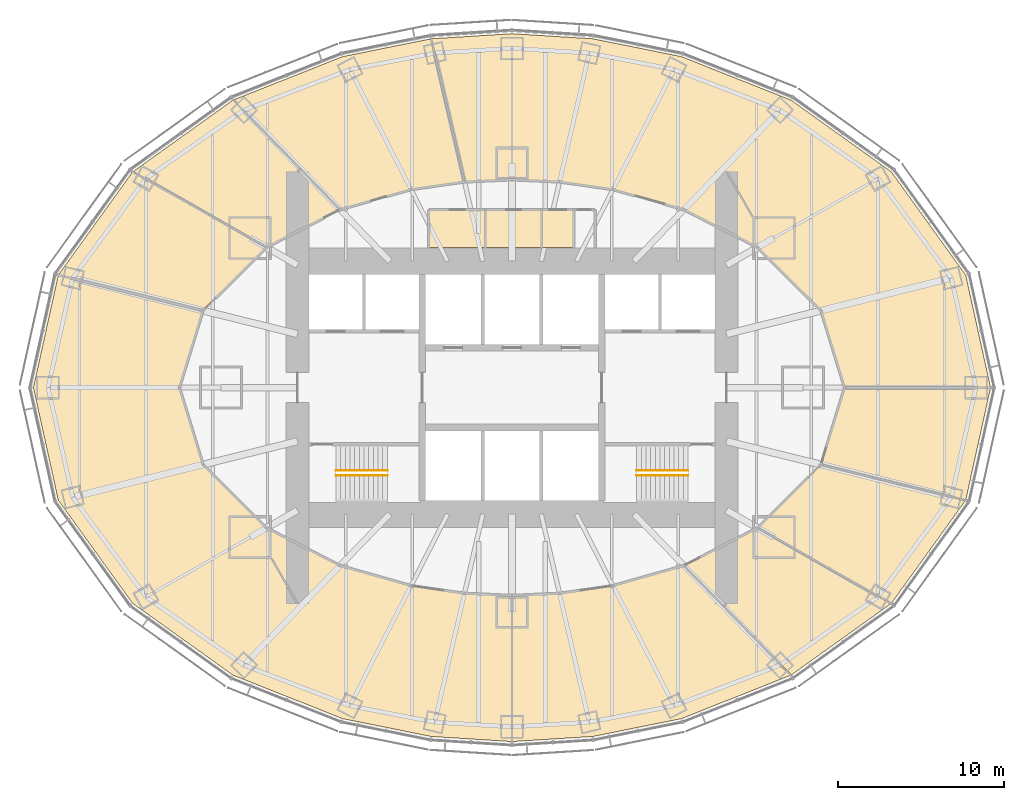
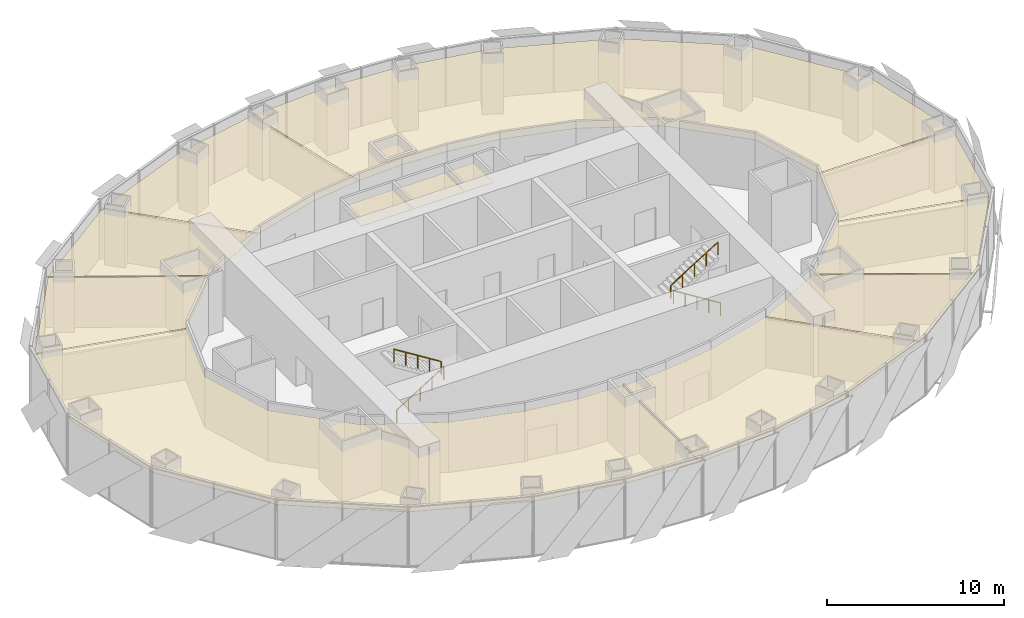
# One storey, part 18 of 18: 12 coverings, 4 railings.
"""IFC4 building model written with IfcOpenShell, lengths in metres."""

from ifc_helpers import new_model, si_unit, direction, frame, origin, origin_2d, place, context, subcontext, project, spatial, polyline, circle, outline, extrude, material, layer, layer_set, type_object, element, save


model = new_model("IFC4")

# Units and contexts
model_context = context("Model", 3, precision=1e-05, world=origin(), true_north=direction((0.0, 1.0)))
body_context = subcontext(model_context, "Body", "Model", "MODEL_VIEW")
ifc_project = project(units=[si_unit("LENGTHUNIT", "METRE"), si_unit("AREAUNIT", "SQUARE_METRE"), si_unit("VOLUMEUNIT", "CUBIC_METRE"), si_unit("PLANEANGLEUNIT", "RADIAN"), si_unit("MASSUNIT", "GRAM", prefix="KILO")], contexts=[model_context])

# Site, building, storey
site_placement = place(None, origin())
site = spatial("IfcSite", under=ifc_project, at=site_placement, CompositionType="ELEMENT")
building_placement = place(site_placement, origin())
building = spatial("IfcBuilding", under=site, at=building_placement, Name="Lantaw Convention Tower", CompositionType="ELEMENT")
storey_placement = place(building_placement, frame((0.0, 0.0, 134.199951171875)))
storey = spatial("IfcBuildingStorey", under=building, at=storey_placement, Name="L31", CompositionType="ELEMENT", Elevation=134.199951171875)

# Railings
ifc_material_1 = material(Name="Stainless steel", Category="steel")
railing_type = type_object("IfcRailingType", Name="Stair handrail", PredefinedType="HANDRAIL", material=ifc_material_1)
railing_1_placement = place(storey_placement, frame((-10.580078125, -5.280029296875, 0.175048828125)))
element("IfcRailing", 1, at=railing_1_placement, inside=storey, type_object=railing_type, Name="Stair handrail S1", PredefinedType="HANDRAIL", context=body_context, shape_type="SweptSolid", body=[
    extrude(circle(Radius=0.02392578125, at=origin_2d()), frame((0.0, 0.0, 0.8759765625), z_axis=(0.847998304005, 0.0, 0.529998940003), x_axis=(0.0, 1.0, 0.0)), (0.0, 0.0, 1.0), 3.632080078125),
    extrude(circle(Radius=0.02099609375, at=origin_2d()), origin(), (0.0, 0.0, 1.0), 0.851806640625),
    extrude(circle(Radius=0.02099609375, at=origin_2d()), frame((0.77001953125, 0.0, 0.481201171875)), (0.0, 0.0, 1.0), 0.851806640625),
    extrude(circle(Radius=0.02099609375, at=origin_2d()), frame((1.5400390625, 0.0, 0.96240234375)), (0.0, 0.0, 1.0), 0.851806640625),
    extrude(circle(Radius=0.02099609375, at=origin_2d()), frame((2.31005859375, 0.0, 1.44384765625)), (0.0, 0.0, 1.0), 0.851806640625),
    extrude(circle(Radius=0.02099609375, at=origin_2d()), frame((3.080078125, 0.0, 1.925048828125)), (0.0, 0.0, 1.0), 0.851806640625),
])
railing_2_placement = place(storey_placement, frame((-7.5, -4.97998046875, 2.275146484375)))
element("IfcRailing", 2, at=railing_2_placement, inside=storey, type_object=railing_type, Name="Stair handrail S1", PredefinedType="HANDRAIL", context=body_context, shape_type="SweptSolid", body=[
    extrude(circle(Radius=0.02392578125, at=origin_2d()), frame((0.0, 0.0, 0.8759765625), z_axis=(-0.848028513186, 0.0, 0.529950602248), x_axis=(0.0, -1.0, 0.0)), (0.0, 0.0, 1.0), 3.632080078125),
    extrude(circle(Radius=0.02099609375, at=origin_2d()), origin(), (0.0, 0.0, 1.0), 0.851806640625),
    extrude(circle(Radius=0.02099609375, at=origin_2d()), frame((-0.77001953125, 0.0, 0.481201171875)), (0.0, 0.0, 1.0), 0.851806640625),
    extrude(circle(Radius=0.02099609375, at=origin_2d()), frame((-1.5400390625, 0.0, 0.96240234375)), (0.0, 0.0, 1.0), 0.851806640625),
    extrude(circle(Radius=0.02099609375, at=origin_2d()), frame((-2.31005859375, 0.0, 1.443603515625)), (0.0, 0.0, 1.0), 0.851806640625),
    extrude(circle(Radius=0.02099609375, at=origin_2d()), frame((-3.080078125, 0.0, 1.9248046875)), (0.0, 0.0, 1.0), 0.851806640625),
])
railing_3_placement = place(storey_placement, frame((10.580078125, -5.280029296875, 0.175048828125)))
element("IfcRailing", 3, at=railing_3_placement, inside=storey, type_object=railing_type, Name="Stair handrail S2", PredefinedType="HANDRAIL", context=body_context, shape_type="SweptSolid", body=[
    extrude(circle(Radius=0.02392578125, at=origin_2d()), frame((0.0, 0.0, 0.8759765625), z_axis=(-0.847998304005, 0.0, 0.529998940003), x_axis=(0.0, -1.0, 0.0)), (0.0, 0.0, 1.0), 3.632080078125),
    extrude(circle(Radius=0.02099609375, at=origin_2d()), origin(), (0.0, 0.0, 1.0), 0.851806640625),
    extrude(circle(Radius=0.02099609375, at=origin_2d()), frame((-0.77001953125, 0.0, 0.481201171875)), (0.0, 0.0, 1.0), 0.851806640625),
    extrude(circle(Radius=0.02099609375, at=origin_2d()), frame((-1.5400390625, 0.0, 0.96240234375)), (0.0, 0.0, 1.0), 0.851806640625),
    extrude(circle(Radius=0.02099609375, at=origin_2d()), frame((-2.31005859375, 0.0, 1.44384765625)), (0.0, 0.0, 1.0), 0.851806640625),
    extrude(circle(Radius=0.02099609375, at=origin_2d()), frame((-3.080078125, 0.0, 1.925048828125)), (0.0, 0.0, 1.0), 0.851806640625),
])
railing_4_placement = place(storey_placement, frame((7.5, -4.97998046875, 2.275146484375)))
element("IfcRailing", 4, at=railing_4_placement, inside=storey, type_object=railing_type, Name="Stair handrail S2", PredefinedType="HANDRAIL", context=body_context, shape_type="SweptSolid", body=[
    extrude(circle(Radius=0.02392578125, at=origin_2d()), frame((0.0, 0.0, 0.8759765625), z_axis=(0.848028513186, 0.0, 0.529950602248), x_axis=(0.0, 1.0, 0.0)), (0.0, 0.0, 1.0), 3.632080078125),
    extrude(circle(Radius=0.02099609375, at=origin_2d()), origin(), (0.0, 0.0, 1.0), 0.851806640625),
    extrude(circle(Radius=0.02099609375, at=origin_2d()), frame((0.77001953125, 0.0, 0.481201171875)), (0.0, 0.0, 1.0), 0.851806640625),
    extrude(circle(Radius=0.02099609375, at=origin_2d()), frame((1.5400390625, 0.0, 0.96240234375)), (0.0, 0.0, 1.0), 0.851806640625),
    extrude(circle(Radius=0.02099609375, at=origin_2d()), frame((2.31005859375, 0.0, 1.443603515625)), (0.0, 0.0, 1.0), 0.851806640625),
    extrude(circle(Radius=0.02099609375, at=origin_2d()), frame((3.080078125, 0.0, 1.9248046875)), (0.0, 0.0, 1.0), 0.851806640625),
])

# Coverings
ifc_material_2 = material(Name="Gypsum board on steel suspension grid", Category="steel")
ifc_layer = layer(ifc_material_2, 0.02001953125)
ifc_layer_set = layer_set([ifc_layer], Name="Suspended ceiling")
covering_type = type_object("IfcCoveringType", Name="Suspended ceiling", PredefinedType="CEILING", material=ifc_layer_set)
covering_1_placement = place(storey_placement, frame((0.0, 0.0, 3.449951171875)))
element("IfcCovering", 5, at=covering_1_placement, inside=storey, type_object=covering_type, Name="Female WC ceiling", PredefinedType="CEILING", context=body_context, shape_type="SweptSolid", body=[
    extrude(outline(polyline([(-4.9599609375, 8.43994140625), (-1.639892578125, 8.43994140625), (-1.639892578125, 10.659912109375), (-4.9599609375, 10.659912109375), (-4.9599609375, 8.43994140625)])), origin(), (0.0, 0.0, 1.0), 0.02001953125),
])
covering_2_placement = place(storey_placement, frame((0.0, 0.0, 3.449951171875)))
element("IfcCovering", 6, at=covering_2_placement, inside=storey, type_object=covering_type, Name="Male WC ceiling", PredefinedType="CEILING", context=body_context, shape_type="SweptSolid", body=[
    extrude(outline(polyline([(-1.56005859375, 8.43994140625), (1.760009765625, 8.43994140625), (1.760009765625, 10.659912109375), (-1.56005859375, 10.659912109375), (-1.56005859375, 8.43994140625)])), origin(), (0.0, 0.0, 1.0), 0.02001953125),
])
covering_3_placement = place(storey_placement, frame((0.0, 0.0, 3.449951171875)))
element("IfcCovering", 7, at=covering_3_placement, inside=storey, type_object=covering_type, Name="Accessible WC ceiling", PredefinedType="CEILING", context=body_context, shape_type="SweptSolid", body=[
    extrude(outline(polyline([(1.840087890625, 8.43994140625), (3.659912109375, 8.43994140625), (3.659912109375, 10.659912109375), (1.840087890625, 10.659912109375), (1.840087890625, 8.43994140625)])), origin(), (0.0, 0.0, 1.0), 0.02001953125),
])
covering_4_placement = place(storey_placement, frame((0.0, 0.0, 3.449951171875)))
element("IfcCovering", 8, at=covering_4_placement, inside=storey, type_object=covering_type, Name="Contact-centre floor ceiling", PredefinedType="CEILING", context=body_context, shape_type="SweptSolid", body=[
    extrude(outline(polyline([(20.029541015625, 0.0400390625), (28.77099609375, 0.0400390625), (27.286865234375, 6.763671875), (22.815185546875, 12.970947265625), (16.778076171875, 17.29150390625), (10.1865234375, 19.90576171875), (4.864501953125, 20.978271484375), (0.0, 21.28466796875), (-4.820068359375, 20.98095703125), (-2.824951171875, 12.413330078125), (0.0, 12.5400390625), (2.860107421875, 12.41162109375), (6.0771484375, 11.949951171875), (10.349365234375, 10.7392578125), (14.784423828125, 8.46728515625), (18.61181640625, 4.65283203125), (20.029541015625, 0.0400390625)])), origin(), (0.0, 0.0, 1.0), 0.02001953125),
])
covering_5_placement = place(storey_placement, frame((0.0, 0.0, 3.449951171875)))
element("IfcCovering", 9, at=covering_5_placement, inside=storey, type_object=covering_type, Name="Training room ceiling", PredefinedType="CEILING", context=body_context, shape_type="SweptSolid", body=[
    extrude(outline(polyline([(-2.905029296875, 12.4052734375), (-4.89990234375, 20.970947265625), (-10.1865234375, 19.90576171875), (-16.726806640625, 17.311767578125), (-10.32275390625, 10.746826171875), (-6.0771484375, 11.949951171875), (-2.905029296875, 12.4052734375)])), origin(), (0.0, 0.0, 1.0), 0.02001953125),
])
covering_6_placement = place(storey_placement, frame((0.0, 0.0, 3.449951171875)))
element("IfcCovering", 10, at=covering_6_placement, inside=storey, type_object=covering_type, Name="Quiet room ceiling", PredefinedType="CEILING", context=body_context, shape_type="SweptSolid", body=[
    extrude(outline(polyline([(-10.401123046875, 10.712646484375), (-16.802001953125, 17.274169921875), (-22.76953125, 13.003662109375), (-14.759765625, 8.47998046875), (-10.401123046875, 10.712646484375)])), origin(), (0.0, 0.0, 1.0), 0.02001953125),
])
covering_7_placement = place(storey_placement, frame((0.0, 0.0, 3.449951171875)))
element("IfcCovering", 11, at=covering_7_placement, inside=storey, type_object=covering_type, Name="24-hour pantry ceiling", PredefinedType="CEILING", context=body_context, shape_type="SweptSolid", body=[
    extrude(outline(polyline([(-14.826171875, 8.42578125), (-22.832275390625, 12.947265625), (-27.257080078125, 6.80517578125), (-18.588623046875, 4.67578125), (-14.826171875, 8.42578125)])), origin(), (0.0, 0.0, 1.0), 0.02001953125),
])
covering_8_placement = place(storey_placement, frame((0.0, 0.0, 3.449951171875)))
element("IfcCovering", 12, at=covering_8_placement, inside=storey, type_object=covering_type, Name="Contact-centre floor ceiling", PredefinedType="CEILING", context=body_context, shape_type="SweptSolid", body=[
    extrude(outline(polyline([(-18.627197265625, 4.602783203125), (-27.2939453125, 6.731689453125), (-28.77978515625, 0.0), (-27.286865234375, -6.763671875), (-22.815185546875, -12.970947265625), (-16.778076171875, -17.29150390625), (-10.1865234375, -19.90576171875), (-4.864501953125, -20.978271484375), (-0.0400390625, -21.281982421875), (-0.0400390625, -12.538330078125), (-2.860107421875, -12.41162109375), (-6.0771484375, -11.949951171875), (-10.349365234375, -10.7392578125), (-14.784423828125, -8.46728515625), (-18.61181640625, -4.65283203125), (-20.041748046875, 0.0), (-18.627197265625, 4.602783203125)])), origin(), (0.0, 0.0, 1.0), 0.02001953125),
])
covering_9_placement = place(storey_placement, frame((0.0, 0.0, 3.449951171875)))
element("IfcCovering", 13, at=covering_9_placement, inside=storey, type_object=covering_type, Name="Training room ceiling", PredefinedType="CEILING", context=body_context, shape_type="SweptSolid", body=[
    extrude(outline(polyline([(0.0400390625, -12.538330078125), (0.0400390625, -21.281982421875), (4.864501953125, -20.978271484375), (10.1865234375, -19.90576171875), (16.726806640625, -17.311767578125), (10.32275390625, -10.746826171875), (6.0771484375, -11.949951171875), (2.860107421875, -12.41162109375), (0.0400390625, -12.538330078125)])), origin(), (0.0, 0.0, 1.0), 0.02001953125),
])
covering_10_placement = place(storey_placement, frame((0.0, 0.0, 3.449951171875)))
element("IfcCovering", 14, at=covering_10_placement, inside=storey, type_object=covering_type, Name="Nap room ceiling", PredefinedType="CEILING", context=body_context, shape_type="SweptSolid", body=[
    extrude(outline(polyline([(10.401123046875, -10.712646484375), (16.802001953125, -17.274169921875), (22.76953125, -13.003662109375), (14.759765625, -8.47998046875), (10.401123046875, -10.712646484375)])), origin(), (0.0, 0.0, 1.0), 0.02001953125),
])
covering_11_placement = place(storey_placement, frame((0.0, 0.0, 3.449951171875)))
element("IfcCovering", 15, at=covering_11_placement, inside=storey, type_object=covering_type, Name="24-hour pantry ceiling", PredefinedType="CEILING", context=body_context, shape_type="SweptSolid", body=[
    extrude(outline(polyline([(14.826171875, -8.42578125), (22.832275390625, -12.947265625), (27.257080078125, -6.80517578125), (18.588623046875, -4.67578125), (14.826171875, -8.42578125)])), origin(), (0.0, 0.0, 1.0), 0.02001953125),
])
covering_12_placement = place(storey_placement, frame((0.0, 0.0, 3.449951171875)))
element("IfcCovering", 16, at=covering_12_placement, inside=storey, type_object=covering_type, Name="Quiet room ceiling", PredefinedType="CEILING", context=body_context, shape_type="SweptSolid", body=[
    extrude(outline(polyline([(18.627197265625, -4.602783203125), (27.2939453125, -6.731689453125), (28.77099609375, -0.0400390625), (20.029541015625, -0.0400390625), (18.627197265625, -4.602783203125)])), origin(), (0.0, 0.0, 1.0), 0.02001953125),
])

save(model, "model.ifc")
